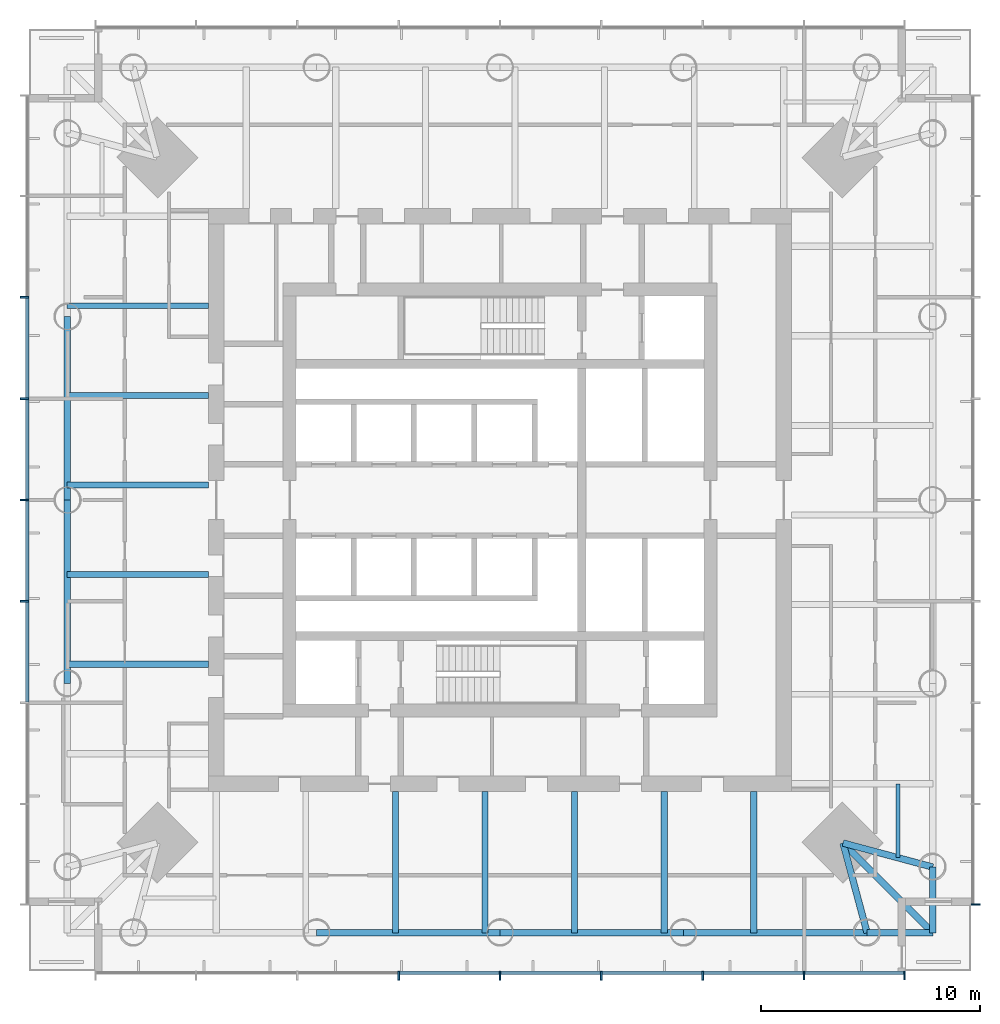
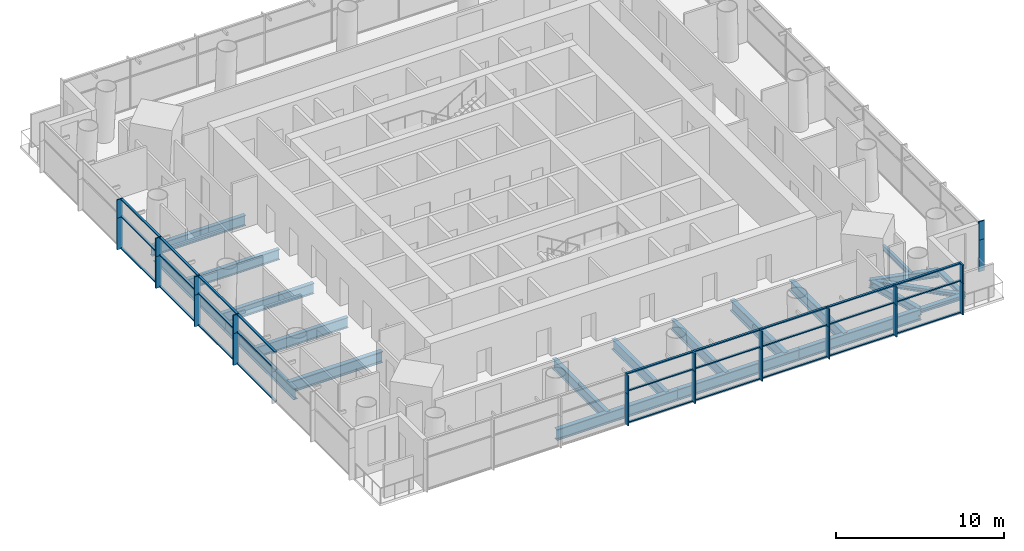
# One storey, part 2 of 11: 49 members, 21 beams, 6 elements without a shape of their own.
"""IFC4 building model written with IfcOpenShell, lengths in metres."""

from ifc_helpers import new_model, si_unit, direction, frame, origin, origin_2d, place, context, subcontext, project, spatial, rectangle, i_section, extrude, material, material_profile, profile_set, type_object, element, aggregate, save


model = new_model("IFC4")

# Units and contexts
model_context = context("Model", 3, precision=1e-05, world=origin(), true_north=direction((0.0, 1.0)))
body_context = subcontext(model_context, "Body", "Model", "MODEL_VIEW")
ifc_project = project(units=[si_unit("LENGTHUNIT", "METRE"), si_unit("AREAUNIT", "SQUARE_METRE"), si_unit("VOLUMEUNIT", "CUBIC_METRE"), si_unit("PLANEANGLEUNIT", "RADIAN"), si_unit("MASSUNIT", "GRAM", prefix="KILO")], contexts=[model_context])

# Site, building, storey
site_placement = place(None, origin())
site = spatial("IfcSite", under=ifc_project, at=site_placement, CompositionType="ELEMENT")
building_placement = place(site_placement, origin())
building = spatial("IfcBuilding", under=site, at=building_placement, Name="Ostroluk Exchange", CompositionType="ELEMENT")
storey_placement = place(building_placement, frame((0.0, 0.0, 154.0)))
storey = spatial("IfcBuildingStorey", under=building, at=storey_placement, Name="L39", CompositionType="ELEMENT", Elevation=154.0)

# Beams
ifc_material_1 = material(Name="Steel S355", Category="steel")
ifc_material_profile_1 = material_profile(ifc_material_1, i_section(OverallWidth=0.300048828125, OverallDepth=0.300048828125, WebThickness=0.010986328125, FlangeThickness=0.01904296875, FilletRadius=0.027099609375, at=origin_2d()), Name="HEB 300")
ifc_profile_set_1 = profile_set([ifc_material_profile_1], Name="Steel S355")
beam_type_1 = type_object("IfcBeamType", Name="Balcony beam HEB 300", PredefinedType="BEAM", material=ifc_profile_set_1)
for number, where, z_axis, x_axis, name in (
    (1, (61.75, 26.25, -0.330078125), (1.0, 0.0, 0.0), (0.0, 1.0, 0.0), "T1 south balcony beam a"),
    (2, (64.75, 29.25, -0.330078125), (0.0, -1.0, 0.0), (1.0, 0.0, 0.0), "T1 south balcony beam b"),
):
    element("IfcBeam", number, at=place(storey_placement, frame(where, z_axis=z_axis, x_axis=x_axis)), inside=storey, type_object=beam_type_1, Name=name, PredefinedType="BEAM", context=body_context, shape_type="SweptSolid", body=[
        extrude(i_section(OverallWidth=0.300048828125, OverallDepth=0.300048828125, WebThickness=0.010986328125, FlangeThickness=0.01904296875, FilletRadius=0.027099609375, at=origin_2d()), origin(), (0.0, 0.0, 1.0), 3.0),
    ])
beam_1_placement = place(storey_placement, frame((60.64990234375, 30.35009765625, -0.330078125), z_axis=(0.707106781187, -0.707106781187, 0.0), x_axis=(0.707106781187, 0.707106781187, 0.0)))
element("IfcBeam", 3, at=beam_1_placement, inside=storey, type_object=beam_type_1, Name="T1 south balcony beam c", PredefinedType="BEAM", context=body_context, shape_type="SweptSolid", body=[
    extrude(i_section(OverallWidth=0.300048828125, OverallDepth=0.300048828125, WebThickness=0.010986328125, FlangeThickness=0.01904296875, FilletRadius=0.027099609375, at=origin_2d()), origin(), (0.0, 0.0, 1.0), 5.79833984375),
])
ifc_material_2 = material(Name="Steel S355", Category="steel")
ifc_material_profile_2 = material_profile(ifc_material_2, i_section(OverallWidth=0.300048828125, OverallDepth=0.550048828125, WebThickness=0.014892578125, FlangeThickness=0.029052734375, FilletRadius=0.027099609375, at=origin_2d()), Name="HEB 550")
ifc_profile_set_2 = profile_set([ifc_material_profile_2], Name="Steel S355")
beam_type_2 = type_object("IfcBeamType", Name="Corner edge beam HEB 550", PredefinedType="SPANDREL", material=ifc_profile_set_2)
for number, where, z_axis, x_axis, name in (
    (4, (60.64990234375, 30.35009765625, -0.455078125), (0.259144268261, -0.965838624319, 0.0), (0.965838624319, 0.259144268261, 0.0), "T1 south corner edge beam a"),
    (5, (60.64990234375, 30.35009765625, -0.455078125), (0.965838624319, -0.259144268261, 0.0), (0.259144268261, 0.965838624319, 0.0), "T1 south corner edge beam b"),
):
    element("IfcBeam", number, at=place(storey_placement, frame(where, z_axis=z_axis, x_axis=x_axis)), inside=storey, type_object=beam_type_2, Name=name, PredefinedType="SPANDREL", context=body_context, shape_type="SweptSolid", body=[
        extrude(i_section(OverallWidth=0.300048828125, OverallDepth=0.550048828125, WebThickness=0.014892578125, FlangeThickness=0.029052734375, FilletRadius=0.027099609375, at=origin_2d()), origin(), (0.0, 0.0, 1.0), 4.2451171875),
    ])
ifc_material_3 = material(Name="Steel S355", Category="steel")
ifc_material_profile_3 = material_profile(ifc_material_3, i_section(OverallWidth=0.302978515625, OverallDepth=0.81396484375, WebThickness=0.02099609375, FlangeThickness=0.0400390625, FilletRadius=0.030029296875, at=origin_2d()), Name="HEM 800")
ifc_profile_set_3 = profile_set([ifc_material_profile_3], Name="Steel S355")
beam_type_3 = type_object("IfcBeamType", Name="Floor beam HEM 800", PredefinedType="BEAM", material=ifc_profile_set_3)
for number, where, z_axis, x_axis, name in (
    (6, (31.699951171875, 38.512451171875, -0.5869140625), (-1.0, 0.0, 0.0), (0.0, -1.0, 0.0), "T1 west floor beam 5"),
    (7, (52.487548828125, 32.699951171875, -0.5869140625), (0.0, -1.0, 0.0), (1.0, 0.0, 0.0), "T1 south floor beam 5"),
    (8, (56.574951171875, 32.699951171875, -0.5869140625), (0.0, -1.0, 0.0), (1.0, 0.0, 0.0), "T1 south floor beam 6"),
):
    element("IfcBeam", number, at=place(storey_placement, frame(where, z_axis=z_axis, x_axis=x_axis)), inside=storey, type_object=beam_type_3, Name=name, PredefinedType="BEAM", context=body_context, shape_type="SweptSolid", body=[
        extrude(i_section(OverallWidth=0.302978515625, OverallDepth=0.81396484375, WebThickness=0.02099609375, FlangeThickness=0.0400390625, FilletRadius=0.030029296875, at=origin_2d()), origin(), (0.0, 0.0, 1.0), 6.449951171875),
    ])
ifc_material_4 = material(Name="Steel S355", Category="steel")
ifc_material_profile_4 = material_profile(ifc_material_4, i_section(OverallWidth=0.179931640625, OverallDepth=0.39990234375, WebThickness=0.008544921875, FlangeThickness=0.013427734375, FilletRadius=0.02099609375, at=origin_2d()), Name="IPE 400")
ifc_profile_set_4 = profile_set([ifc_material_profile_4], Name="Steel S355")
beam_type_4 = type_object("IfcBeamType", Name="Floor beam IPE 400", PredefinedType="BEAM", material=ifc_profile_set_4)
beam_2_placement = place(storey_placement, frame((63.14990234375, 33.050048828125, -0.3798828125), z_axis=(0.0, -1.0, 0.0), x_axis=(1.0, 0.0, 0.0)))
element("IfcBeam", 9, at=beam_2_placement, inside=storey, type_object=beam_type_4, Name="T1 south floor beam 7", PredefinedType="BEAM", context=body_context, shape_type="SweptSolid", body=[
    extrude(i_section(OverallWidth=0.179931640625, OverallDepth=0.39990234375, WebThickness=0.008544921875, FlangeThickness=0.013427734375, FilletRadius=0.02099609375, at=origin_2d()), origin(), (0.0, 0.0, 1.0), 3.370849609375),
])
ifc_material_5 = material(Name="Steel S355", Category="steel")
ifc_material_profile_5 = material_profile(ifc_material_5, i_section(OverallWidth=0.26708984375, OverallDepth=0.761962890625, WebThickness=0.014404296875, FlangeThickness=0.021484375, FilletRadius=0.01708984375, at=origin_2d()), Name="IPE 750x173")
ifc_profile_set_5 = profile_set([ifc_material_profile_5], Name="Steel S355")
beam_type_5 = type_object("IfcBeamType", Name="Floor beam IPE 750x173", PredefinedType="BEAM", material=ifc_profile_set_5)
for number, where, z_axis, x_axis, name in (
    (10, (31.699951171875, 54.862548828125, -0.56103515625), (-1.0, 0.0, 0.0), (0.0, -1.0, 0.0), "T1 west floor beam 1"),
    (11, (31.699951171875, 50.77490234375, -0.56103515625), (-1.0, 0.0, 0.0), (0.0, -1.0, 0.0), "T1 west floor beam 2"),
    (12, (31.699951171875, 46.6875, -0.56103515625), (-1.0, 0.0, 0.0), (0.0, -1.0, 0.0), "T1 west floor beam 3"),
    (13, (31.699951171875, 42.60009765625, -0.56103515625), (-1.0, 0.0, 0.0), (0.0, -1.0, 0.0), "T1 west floor beam 4"),
    (14, (40.22509765625, 32.699951171875, -0.56103515625), (0.0, -1.0, 0.0), (1.0, 0.0, 0.0), "T1 south floor beam 2"),
    (15, (44.3125, 32.699951171875, -0.56103515625), (0.0, -1.0, 0.0), (1.0, 0.0, 0.0), "T1 south floor beam 3"),
    (16, (48.39990234375, 32.699951171875, -0.56103515625), (0.0, -1.0, 0.0), (1.0, 0.0, 0.0), "T1 south floor beam 4"),
):
    element("IfcBeam", number, at=place(storey_placement, frame(where, z_axis=z_axis, x_axis=x_axis)), inside=storey, type_object=beam_type_5, Name=name, PredefinedType="BEAM", context=body_context, shape_type="SweptSolid", body=[
        extrude(i_section(OverallWidth=0.26708984375, OverallDepth=0.761962890625, WebThickness=0.014404296875, FlangeThickness=0.021484375, FilletRadius=0.01708984375, at=origin_2d()), origin(), (0.0, 0.0, 1.0), 6.449951171875),
    ])
ifc_material_6 = material(Name="Steel S355", Category="steel")
ifc_material_profile_6 = material_profile(ifc_material_6, i_section(OverallWidth=0.300048828125, OverallDepth=0.800048828125, WebThickness=0.017578125, FlangeThickness=0.032958984375, FilletRadius=0.030029296875, at=origin_2d()), Name="HEB 800")
ifc_profile_set_6 = profile_set([ifc_material_profile_6], Name="Steel S355")
beam_type_6 = type_object("IfcBeamType", Name="Moment-connected edge beam HEB 800", PredefinedType="SPANDREL", material=ifc_profile_set_6)
for number, where, z_axis, x_axis, name in (
    (17, (25.25, 54.375, -0.580078125), (0.0, -1.0, 0.0), (1.0, 0.0, 0.0), "T1 west edge beam 2"),
    (18, (25.25, 46.0, -0.580078125), (0.0, -1.0, 0.0), (1.0, 0.0, 0.0), "T1 west edge beam 3"),
    (19, (36.625, 26.25, -0.580078125), (1.0, 0.0, 0.0), (0.0, 1.0, 0.0), "T1 south edge beam 2"),
    (20, (45.0, 26.25, -0.580078125), (1.0, 0.0, 0.0), (0.0, 1.0, 0.0), "T1 south edge beam 3"),
    (21, (53.375, 26.25, -0.580078125), (1.0, 0.0, 0.0), (0.0, 1.0, 0.0), "T1 south edge beam 4"),
):
    element("IfcBeam", number, at=place(storey_placement, frame(where, z_axis=z_axis, x_axis=x_axis)), inside=storey, type_object=beam_type_6, Name=name, PredefinedType="SPANDREL", context=body_context, shape_type="SweptSolid", body=[
        extrude(i_section(OverallWidth=0.300048828125, OverallDepth=0.800048828125, WebThickness=0.017578125, FlangeThickness=0.032958984375, FilletRadius=0.030029296875, at=origin_2d()), origin(), (0.0, 0.0, 1.0), 8.375),
    ])

# Curtain wall, members
ifc_material_7 = material(Name="Laminated clear glass", Category="glass")
curtain_wall_type = type_object("IfcCurtainWallType", Name="Office tower facade", PredefinedType="USERDEFINED", material=ifc_material_7)
curtain_wall_1_placement = place(storey_placement, origin())
curtain_wall_1 = element("IfcCurtainWall", 22, at=curtain_wall_1_placement, inside=storey, type_object=curtain_wall_type, Name="Office tower south facade L39", ObjectType="UNITISED CURTAIN WALL", PredefinedType="USERDEFINED")
ifc_material_8 = material(Name="Aluminium mullion", Category="aluminium")
ifc_material_profile_7 = material_profile(ifc_material_8, rectangle(XDim=0.14990234375, YDim=0.080078125, at=origin_2d()), Name="Sill transom 80 x 150")
ifc_profile_set_7 = profile_set([ifc_material_profile_7], Name="Aluminium mullion")
member_type_1 = type_object("IfcMemberType", Name="Sill transom 80 x 150", PredefinedType="USERDEFINED", material=ifc_profile_set_7)
member_1_placement = place(storey_placement, frame((40.4150390625, 24.425048828125, 0.0400390625), z_axis=(1.0, 0.0, 0.0), x_axis=(0.0, 1.0, 0.0)))
member_1 = element("IfcMember", 23, at=member_1_placement, type_object=member_type_1, Name="CW-O1 transom 4.1", ObjectType="TRANSOM", PredefinedType="USERDEFINED", context=body_context, shape_type="SweptSolid", body=[
    extrude(rectangle(XDim=0.14990234375, YDim=0.080078125, at=origin_2d()), origin(), (0.0, 0.0, 1.0), 4.544921875),
])
member_2_placement = place(storey_placement, frame((45.0400390625, 24.425048828125, 0.0400390625), z_axis=(1.0, 0.0, 0.0), x_axis=(0.0, 1.0, 0.0)))
member_2 = element("IfcMember", 24, at=member_2_placement, type_object=member_type_1, Name="CW-O1 transom 5.1", ObjectType="TRANSOM", PredefinedType="USERDEFINED", context=body_context, shape_type="SweptSolid", body=[
    extrude(rectangle(XDim=0.14990234375, YDim=0.080078125, at=origin_2d()), origin(), (0.0, 0.0, 1.0), 4.544921875),
])
member_3_placement = place(storey_placement, frame((49.6650390625, 24.425048828125, 0.0400390625), z_axis=(1.0, 0.0, 0.0), x_axis=(0.0, 1.0, 0.0)))
member_3 = element("IfcMember", 25, at=member_3_placement, type_object=member_type_1, Name="CW-O1 transom 6.1", ObjectType="TRANSOM", PredefinedType="USERDEFINED", context=body_context, shape_type="SweptSolid", body=[
    extrude(rectangle(XDim=0.14990234375, YDim=0.080078125, at=origin_2d()), origin(), (0.0, 0.0, 1.0), 4.544921875),
])
member_4_placement = place(storey_placement, frame((54.2900390625, 24.425048828125, 0.0400390625), z_axis=(1.0, 0.0, 0.0), x_axis=(0.0, 1.0, 0.0)))
member_4 = element("IfcMember", 26, at=member_4_placement, type_object=member_type_1, Name="CW-O1 transom 7.1", ObjectType="TRANSOM", PredefinedType="USERDEFINED", context=body_context, shape_type="SweptSolid", body=[
    extrude(rectangle(XDim=0.14990234375, YDim=0.080078125, at=origin_2d()), origin(), (0.0, 0.0, 1.0), 4.544921875),
])
member_5_placement = place(storey_placement, frame((58.9150390625, 24.425048828125, 0.0400390625), z_axis=(1.0, 0.0, 0.0), x_axis=(0.0, 1.0, 0.0)))
member_5 = element("IfcMember", 27, at=member_5_placement, type_object=member_type_1, Name="CW-O1 transom 8.1", ObjectType="TRANSOM", PredefinedType="USERDEFINED", context=body_context, shape_type="SweptSolid", body=[
    extrude(rectangle(XDim=0.14990234375, YDim=0.080078125, at=origin_2d()), origin(), (0.0, 0.0, 1.0), 4.5048828125),
])

curtain_wall_2_placement = place(storey_placement, origin())
curtain_wall_2 = element("IfcCurtainWall", 28, at=curtain_wall_2_placement, inside=storey, type_object=curtain_wall_type, Name="Office tower south spandrel L39", ObjectType="UNITISED CURTAIN WALL", PredefinedType="USERDEFINED")
member_6_placement = place(storey_placement, frame((40.4150390625, 24.425048828125, 2.353515625), z_axis=(1.0, 0.0, 0.0), x_axis=(0.0, 1.0, 0.0)))
member_6 = element("IfcMember", 29, at=member_6_placement, type_object=member_type_1, Name="CW-O1 transom 4.1", ObjectType="TRANSOM", PredefinedType="USERDEFINED", context=body_context, shape_type="SweptSolid", body=[
    extrude(rectangle(XDim=0.14990234375, YDim=0.080078125, at=origin_2d()), origin(), (0.0, 0.0, 1.0), 4.544921875),
])
member_7_placement = place(storey_placement, frame((40.4150390625, 24.425048828125, 3.610107421875), z_axis=(1.0, 0.0, 0.0), x_axis=(0.0, 1.0, 0.0)))
member_7 = element("IfcMember", 30, at=member_7_placement, type_object=member_type_1, Name="CW-O1 transom 4.2", ObjectType="TRANSOM", PredefinedType="USERDEFINED", context=body_context, shape_type="SweptSolid", body=[
    extrude(rectangle(XDim=0.14990234375, YDim=0.080078125, at=origin_2d()), origin(), (0.0, 0.0, 1.0), 4.544921875),
])
member_8_placement = place(storey_placement, frame((45.0400390625, 24.425048828125, 2.353515625), z_axis=(1.0, 0.0, 0.0), x_axis=(0.0, 1.0, 0.0)))
member_8 = element("IfcMember", 31, at=member_8_placement, type_object=member_type_1, Name="CW-O1 transom 5.1", ObjectType="TRANSOM", PredefinedType="USERDEFINED", context=body_context, shape_type="SweptSolid", body=[
    extrude(rectangle(XDim=0.14990234375, YDim=0.080078125, at=origin_2d()), origin(), (0.0, 0.0, 1.0), 4.544921875),
])
member_9_placement = place(storey_placement, frame((45.0400390625, 24.425048828125, 3.610107421875), z_axis=(1.0, 0.0, 0.0), x_axis=(0.0, 1.0, 0.0)))
member_9 = element("IfcMember", 32, at=member_9_placement, type_object=member_type_1, Name="CW-O1 transom 5.2", ObjectType="TRANSOM", PredefinedType="USERDEFINED", context=body_context, shape_type="SweptSolid", body=[
    extrude(rectangle(XDim=0.14990234375, YDim=0.080078125, at=origin_2d()), origin(), (0.0, 0.0, 1.0), 4.544921875),
])
member_10_placement = place(storey_placement, frame((49.6650390625, 24.425048828125, 2.353515625), z_axis=(1.0, 0.0, 0.0), x_axis=(0.0, 1.0, 0.0)))
member_10 = element("IfcMember", 33, at=member_10_placement, type_object=member_type_1, Name="CW-O1 transom 6.1", ObjectType="TRANSOM", PredefinedType="USERDEFINED", context=body_context, shape_type="SweptSolid", body=[
    extrude(rectangle(XDim=0.14990234375, YDim=0.080078125, at=origin_2d()), origin(), (0.0, 0.0, 1.0), 4.544921875),
])
member_11_placement = place(storey_placement, frame((49.6650390625, 24.425048828125, 3.610107421875), z_axis=(1.0, 0.0, 0.0), x_axis=(0.0, 1.0, 0.0)))
member_11 = element("IfcMember", 34, at=member_11_placement, type_object=member_type_1, Name="CW-O1 transom 6.2", ObjectType="TRANSOM", PredefinedType="USERDEFINED", context=body_context, shape_type="SweptSolid", body=[
    extrude(rectangle(XDim=0.14990234375, YDim=0.080078125, at=origin_2d()), origin(), (0.0, 0.0, 1.0), 4.544921875),
])
member_12_placement = place(storey_placement, frame((54.2900390625, 24.425048828125, 2.353515625), z_axis=(1.0, 0.0, 0.0), x_axis=(0.0, 1.0, 0.0)))
member_12 = element("IfcMember", 35, at=member_12_placement, type_object=member_type_1, Name="CW-O1 transom 7.1", ObjectType="TRANSOM", PredefinedType="USERDEFINED", context=body_context, shape_type="SweptSolid", body=[
    extrude(rectangle(XDim=0.14990234375, YDim=0.080078125, at=origin_2d()), origin(), (0.0, 0.0, 1.0), 4.544921875),
])
member_13_placement = place(storey_placement, frame((54.2900390625, 24.425048828125, 3.610107421875), z_axis=(1.0, 0.0, 0.0), x_axis=(0.0, 1.0, 0.0)))
member_13 = element("IfcMember", 36, at=member_13_placement, type_object=member_type_1, Name="CW-O1 transom 7.2", ObjectType="TRANSOM", PredefinedType="USERDEFINED", context=body_context, shape_type="SweptSolid", body=[
    extrude(rectangle(XDim=0.14990234375, YDim=0.080078125, at=origin_2d()), origin(), (0.0, 0.0, 1.0), 4.544921875),
])
member_14_placement = place(storey_placement, frame((58.9150390625, 24.425048828125, 2.353515625), z_axis=(1.0, 0.0, 0.0), x_axis=(0.0, 1.0, 0.0)))
member_14 = element("IfcMember", 37, at=member_14_placement, type_object=member_type_1, Name="CW-O1 transom 8.1", ObjectType="TRANSOM", PredefinedType="USERDEFINED", context=body_context, shape_type="SweptSolid", body=[
    extrude(rectangle(XDim=0.14990234375, YDim=0.080078125, at=origin_2d()), origin(), (0.0, 0.0, 1.0), 4.5048828125),
])
member_15_placement = place(storey_placement, frame((58.9150390625, 24.425048828125, 3.610107421875), z_axis=(1.0, 0.0, 0.0), x_axis=(0.0, 1.0, 0.0)))
member_15 = element("IfcMember", 38, at=member_15_placement, type_object=member_type_1, Name="CW-O1 transom 8.2", ObjectType="TRANSOM", PredefinedType="USERDEFINED", context=body_context, shape_type="SweptSolid", body=[
    extrude(rectangle(XDim=0.14990234375, YDim=0.080078125, at=origin_2d()), origin(), (0.0, 0.0, 1.0), 4.5048828125),
])

curtain_wall_3_placement = place(storey_placement, origin())
curtain_wall_3 = element("IfcCurtainWall", 39, at=curtain_wall_3_placement, inside=storey, type_object=curtain_wall_type, Name="Office tower west facade L39", ObjectType="UNITISED CURTAIN WALL", PredefinedType="USERDEFINED")
member_16_placement = place(storey_placement, frame((23.425048828125, 55.2099609375, 0.0400390625), z_axis=(0.0, -1.0, 0.0), x_axis=(1.0, 0.0, 0.0)))
member_16 = element("IfcMember", 40, at=member_16_placement, type_object=member_type_1, Name="CW-O1 transom 3.1", ObjectType="TRANSOM", PredefinedType="USERDEFINED", context=body_context, shape_type="SweptSolid", body=[
    extrude(rectangle(XDim=0.14990234375, YDim=0.080078125, at=origin_2d()), origin(), (0.0, 0.0, 1.0), 4.544921875),
])
member_17_placement = place(storey_placement, frame((23.425048828125, 50.5849609375, 0.0400390625), z_axis=(0.0, -1.0, 0.0), x_axis=(1.0, 0.0, 0.0)))
member_17 = element("IfcMember", 41, at=member_17_placement, type_object=member_type_1, Name="CW-O1 transom 4.1", ObjectType="TRANSOM", PredefinedType="USERDEFINED", context=body_context, shape_type="SweptSolid", body=[
    extrude(rectangle(XDim=0.14990234375, YDim=0.080078125, at=origin_2d()), origin(), (0.0, 0.0, 1.0), 4.544921875),
])
member_18_placement = place(storey_placement, frame((23.425048828125, 45.9599609375, 0.0400390625), z_axis=(0.0, -1.0, 0.0), x_axis=(1.0, 0.0, 0.0)))
member_18 = element("IfcMember", 42, at=member_18_placement, type_object=member_type_1, Name="CW-O1 transom 5.1", ObjectType="TRANSOM", PredefinedType="USERDEFINED", context=body_context, shape_type="SweptSolid", body=[
    extrude(rectangle(XDim=0.14990234375, YDim=0.080078125, at=origin_2d()), origin(), (0.0, 0.0, 1.0), 4.544921875),
])
member_19_placement = place(storey_placement, frame((23.425048828125, 41.3349609375, 0.0400390625), z_axis=(0.0, -1.0, 0.0), x_axis=(1.0, 0.0, 0.0)))
member_19 = element("IfcMember", 43, at=member_19_placement, type_object=member_type_1, Name="CW-O1 transom 6.1", ObjectType="TRANSOM", PredefinedType="USERDEFINED", context=body_context, shape_type="SweptSolid", body=[
    extrude(rectangle(XDim=0.14990234375, YDim=0.080078125, at=origin_2d()), origin(), (0.0, 0.0, 1.0), 4.544921875),
])

curtain_wall_4_placement = place(storey_placement, origin())
curtain_wall_4 = element("IfcCurtainWall", 44, at=curtain_wall_4_placement, inside=storey, type_object=curtain_wall_type, Name="Office tower west spandrel L39", ObjectType="UNITISED CURTAIN WALL", PredefinedType="USERDEFINED")
member_20_placement = place(storey_placement, frame((23.425048828125, 55.2099609375, 2.353515625), z_axis=(0.0, -1.0, 0.0), x_axis=(1.0, 0.0, 0.0)))
member_20 = element("IfcMember", 45, at=member_20_placement, type_object=member_type_1, Name="CW-O1 transom 3.1", ObjectType="TRANSOM", PredefinedType="USERDEFINED", context=body_context, shape_type="SweptSolid", body=[
    extrude(rectangle(XDim=0.14990234375, YDim=0.080078125, at=origin_2d()), origin(), (0.0, 0.0, 1.0), 4.544921875),
])
member_21_placement = place(storey_placement, frame((23.425048828125, 55.2099609375, 3.610107421875), z_axis=(0.0, -1.0, 0.0), x_axis=(1.0, 0.0, 0.0)))
member_21 = element("IfcMember", 46, at=member_21_placement, type_object=member_type_1, Name="CW-O1 transom 3.2", ObjectType="TRANSOM", PredefinedType="USERDEFINED", context=body_context, shape_type="SweptSolid", body=[
    extrude(rectangle(XDim=0.14990234375, YDim=0.080078125, at=origin_2d()), origin(), (0.0, 0.0, 1.0), 4.544921875),
])
member_22_placement = place(storey_placement, frame((23.425048828125, 50.5849609375, 2.353515625), z_axis=(0.0, -1.0, 0.0), x_axis=(1.0, 0.0, 0.0)))
member_22 = element("IfcMember", 47, at=member_22_placement, type_object=member_type_1, Name="CW-O1 transom 4.1", ObjectType="TRANSOM", PredefinedType="USERDEFINED", context=body_context, shape_type="SweptSolid", body=[
    extrude(rectangle(XDim=0.14990234375, YDim=0.080078125, at=origin_2d()), origin(), (0.0, 0.0, 1.0), 4.544921875),
])
member_23_placement = place(storey_placement, frame((23.425048828125, 50.5849609375, 3.610107421875), z_axis=(0.0, -1.0, 0.0), x_axis=(1.0, 0.0, 0.0)))
member_23 = element("IfcMember", 48, at=member_23_placement, type_object=member_type_1, Name="CW-O1 transom 4.2", ObjectType="TRANSOM", PredefinedType="USERDEFINED", context=body_context, shape_type="SweptSolid", body=[
    extrude(rectangle(XDim=0.14990234375, YDim=0.080078125, at=origin_2d()), origin(), (0.0, 0.0, 1.0), 4.544921875),
])
member_24_placement = place(storey_placement, frame((23.425048828125, 45.9599609375, 2.353515625), z_axis=(0.0, -1.0, 0.0), x_axis=(1.0, 0.0, 0.0)))
member_24 = element("IfcMember", 49, at=member_24_placement, type_object=member_type_1, Name="CW-O1 transom 5.1", ObjectType="TRANSOM", PredefinedType="USERDEFINED", context=body_context, shape_type="SweptSolid", body=[
    extrude(rectangle(XDim=0.14990234375, YDim=0.080078125, at=origin_2d()), origin(), (0.0, 0.0, 1.0), 4.544921875),
])
member_25_placement = place(storey_placement, frame((23.425048828125, 45.9599609375, 3.610107421875), z_axis=(0.0, -1.0, 0.0), x_axis=(1.0, 0.0, 0.0)))
member_25 = element("IfcMember", 50, at=member_25_placement, type_object=member_type_1, Name="CW-O1 transom 5.2", ObjectType="TRANSOM", PredefinedType="USERDEFINED", context=body_context, shape_type="SweptSolid", body=[
    extrude(rectangle(XDim=0.14990234375, YDim=0.080078125, at=origin_2d()), origin(), (0.0, 0.0, 1.0), 4.544921875),
])
member_26_placement = place(storey_placement, frame((23.425048828125, 41.3349609375, 2.353515625), z_axis=(0.0, -1.0, 0.0), x_axis=(1.0, 0.0, 0.0)))
member_26 = element("IfcMember", 51, at=member_26_placement, type_object=member_type_1, Name="CW-O1 transom 6.1", ObjectType="TRANSOM", PredefinedType="USERDEFINED", context=body_context, shape_type="SweptSolid", body=[
    extrude(rectangle(XDim=0.14990234375, YDim=0.080078125, at=origin_2d()), origin(), (0.0, 0.0, 1.0), 4.544921875),
])
member_27_placement = place(storey_placement, frame((23.425048828125, 41.3349609375, 3.610107421875), z_axis=(0.0, -1.0, 0.0), x_axis=(1.0, 0.0, 0.0)))
member_27 = element("IfcMember", 52, at=member_27_placement, type_object=member_type_1, Name="CW-O1 transom 6.2", ObjectType="TRANSOM", PredefinedType="USERDEFINED", context=body_context, shape_type="SweptSolid", body=[
    extrude(rectangle(XDim=0.14990234375, YDim=0.080078125, at=origin_2d()), origin(), (0.0, 0.0, 1.0), 4.544921875),
])

# Member
ifc_material_9 = material(Name="Aluminium mullion with limestone facing", Category="masonry")
ifc_material_profile_8 = material_profile(ifc_material_9, rectangle(XDim=0.39990234375, YDim=0.080078125, at=origin_2d()), Name="Tracery mullion 80 x 400")
ifc_profile_set_8 = profile_set([ifc_material_profile_8], Name="Aluminium mullion with limestone facing")
member_type_2 = type_object("IfcMemberType", Name="Tracery mullion 80 x 400", PredefinedType="MULLION", material=ifc_profile_set_8)
member_28_placement = place(storey_placement, frame((40.375, 24.300048828125, 0.0), z_axis=(0.0, 0.0, 1.0), x_axis=(0.0, 1.0, 0.0)))
member_28 = element("IfcMember", 53, at=member_28_placement, type_object=member_type_2, Name="CW-O1 mullion 4", PredefinedType="MULLION", context=body_context, shape_type="SweptSolid", body=[
    extrude(rectangle(XDim=0.39990234375, YDim=0.080078125, at=origin_2d()), origin(), (0.0, 0.0, 1.0), 2.3134765625),
])

member_29_placement = place(storey_placement, frame((45.0, 24.300048828125, 0.0), z_axis=(0.0, 0.0, 1.0), x_axis=(0.0, 1.0, 0.0)))
member_29 = element("IfcMember", 54, at=member_29_placement, type_object=member_type_2, Name="CW-O1 mullion 5", PredefinedType="MULLION", context=body_context, shape_type="SweptSolid", body=[
    extrude(rectangle(XDim=0.39990234375, YDim=0.080078125, at=origin_2d()), origin(), (0.0, 0.0, 1.0), 2.3134765625),
])

member_30_placement = place(storey_placement, frame((49.625, 24.300048828125, 0.0), z_axis=(0.0, 0.0, 1.0), x_axis=(0.0, 1.0, 0.0)))
member_30 = element("IfcMember", 55, at=member_30_placement, type_object=member_type_2, Name="CW-O1 mullion 6", PredefinedType="MULLION", context=body_context, shape_type="SweptSolid", body=[
    extrude(rectangle(XDim=0.39990234375, YDim=0.080078125, at=origin_2d()), origin(), (0.0, 0.0, 1.0), 2.3134765625),
])

member_31_placement = place(storey_placement, frame((54.25, 24.300048828125, 0.0), z_axis=(0.0, 0.0, 1.0), x_axis=(0.0, 1.0, 0.0)))
member_31 = element("IfcMember", 56, at=member_31_placement, type_object=member_type_2, Name="CW-O1 mullion 7", PredefinedType="MULLION", context=body_context, shape_type="SweptSolid", body=[
    extrude(rectangle(XDim=0.39990234375, YDim=0.080078125, at=origin_2d()), origin(), (0.0, 0.0, 1.0), 2.3134765625),
])

member_32_placement = place(storey_placement, frame((58.875, 24.300048828125, 0.0), z_axis=(0.0, 0.0, 1.0), x_axis=(0.0, 1.0, 0.0)))
member_32 = element("IfcMember", 57, at=member_32_placement, type_object=member_type_2, Name="CW-O1 mullion 8", PredefinedType="MULLION", context=body_context, shape_type="SweptSolid", body=[
    extrude(rectangle(XDim=0.39990234375, YDim=0.080078125, at=origin_2d()), origin(), (0.0, 0.0, 1.0), 2.3134765625),
])

member_33_placement = place(storey_placement, frame((63.4599609375, 24.300048828125, 0.0), z_axis=(0.0, 0.0, 1.0), x_axis=(0.0, 1.0, 0.0)))
member_33 = element("IfcMember", 58, at=member_33_placement, type_object=member_type_2, Name="CW-O1 mullion 9", PredefinedType="MULLION", context=body_context, shape_type="SweptSolid", body=[
    extrude(rectangle(XDim=0.39990234375, YDim=0.080078125, at=origin_2d()), origin(), (0.0, 0.0, 1.0), 2.3134765625),
])

aggregate(curtain_wall_1, [member_28, member_29, member_30, member_31, member_32, member_33, member_1, member_2, member_3, member_4, member_5])

member_34_placement = place(storey_placement, frame((40.375, 24.300048828125, 2.3134765625), z_axis=(0.0, 0.0, 1.0), x_axis=(0.0, 1.0, 0.0)))
member_34 = element("IfcMember", 59, at=member_34_placement, type_object=member_type_2, Name="CW-O1 mullion 4", PredefinedType="MULLION", context=body_context, shape_type="SweptSolid", body=[
    extrude(rectangle(XDim=0.39990234375, YDim=0.080078125, at=origin_2d()), origin(), (0.0, 0.0, 1.0), 1.33642578125),
])

member_35_placement = place(storey_placement, frame((45.0, 24.300048828125, 2.3134765625), z_axis=(0.0, 0.0, 1.0), x_axis=(0.0, 1.0, 0.0)))
member_35 = element("IfcMember", 60, at=member_35_placement, type_object=member_type_2, Name="CW-O1 mullion 5", PredefinedType="MULLION", context=body_context, shape_type="SweptSolid", body=[
    extrude(rectangle(XDim=0.39990234375, YDim=0.080078125, at=origin_2d()), origin(), (0.0, 0.0, 1.0), 1.33642578125),
])

member_36_placement = place(storey_placement, frame((49.625, 24.300048828125, 2.3134765625), z_axis=(0.0, 0.0, 1.0), x_axis=(0.0, 1.0, 0.0)))
member_36 = element("IfcMember", 61, at=member_36_placement, type_object=member_type_2, Name="CW-O1 mullion 6", PredefinedType="MULLION", context=body_context, shape_type="SweptSolid", body=[
    extrude(rectangle(XDim=0.39990234375, YDim=0.080078125, at=origin_2d()), origin(), (0.0, 0.0, 1.0), 1.33642578125),
])

member_37_placement = place(storey_placement, frame((54.25, 24.300048828125, 2.3134765625), z_axis=(0.0, 0.0, 1.0), x_axis=(0.0, 1.0, 0.0)))
member_37 = element("IfcMember", 62, at=member_37_placement, type_object=member_type_2, Name="CW-O1 mullion 7", PredefinedType="MULLION", context=body_context, shape_type="SweptSolid", body=[
    extrude(rectangle(XDim=0.39990234375, YDim=0.080078125, at=origin_2d()), origin(), (0.0, 0.0, 1.0), 1.33642578125),
])

member_38_placement = place(storey_placement, frame((58.875, 24.300048828125, 2.3134765625), z_axis=(0.0, 0.0, 1.0), x_axis=(0.0, 1.0, 0.0)))
member_38 = element("IfcMember", 63, at=member_38_placement, type_object=member_type_2, Name="CW-O1 mullion 8", PredefinedType="MULLION", context=body_context, shape_type="SweptSolid", body=[
    extrude(rectangle(XDim=0.39990234375, YDim=0.080078125, at=origin_2d()), origin(), (0.0, 0.0, 1.0), 1.33642578125),
])

member_39_placement = place(storey_placement, frame((63.4599609375, 24.300048828125, 2.3134765625), z_axis=(0.0, 0.0, 1.0), x_axis=(0.0, 1.0, 0.0)))
member_39 = element("IfcMember", 64, at=member_39_placement, type_object=member_type_2, Name="CW-O1 mullion 9", PredefinedType="MULLION", context=body_context, shape_type="SweptSolid", body=[
    extrude(rectangle(XDim=0.39990234375, YDim=0.080078125, at=origin_2d()), origin(), (0.0, 0.0, 1.0), 1.33642578125),
])

aggregate(curtain_wall_2, [member_34, member_35, member_36, member_37, member_38, member_39, member_6, member_7, member_8, member_9, member_10, member_11, member_12, member_13, member_14, member_15])

# Curtain wall, member
curtain_wall_5_placement = place(storey_placement, origin())
curtain_wall_5 = element("IfcCurtainWall", 65, at=curtain_wall_5_placement, inside=storey, type_object=curtain_wall_type, Name="Office tower east facade L39", ObjectType="UNITISED CURTAIN WALL", PredefinedType="USERDEFINED")
member_40_placement = place(storey_placement, frame((66.699951171875, 27.5400390625, 0.0), z_axis=(0.0, 0.0, 1.0), x_axis=(-1.0, 0.0, 0.0)))
member_40 = element("IfcMember", 66, at=member_40_placement, type_object=member_type_2, Name="CW-O1 mullion 1", PredefinedType="MULLION", context=body_context, shape_type="SweptSolid", body=[
    extrude(rectangle(XDim=0.39990234375, YDim=0.080078125, at=origin_2d()), origin(), (0.0, 0.0, 1.0), 2.3134765625),
])
aggregate(curtain_wall_5, [member_40])

curtain_wall_6_placement = place(storey_placement, origin())
curtain_wall_6 = element("IfcCurtainWall", 67, at=curtain_wall_6_placement, inside=storey, type_object=curtain_wall_type, Name="Office tower east spandrel L39", ObjectType="UNITISED CURTAIN WALL", PredefinedType="USERDEFINED")
member_41_placement = place(storey_placement, frame((66.699951171875, 27.5400390625, 2.3134765625), z_axis=(0.0, 0.0, 1.0), x_axis=(-1.0, 0.0, 0.0)))
member_41 = element("IfcMember", 68, at=member_41_placement, type_object=member_type_2, Name="CW-O1 mullion 1", PredefinedType="MULLION", context=body_context, shape_type="SweptSolid", body=[
    extrude(rectangle(XDim=0.39990234375, YDim=0.080078125, at=origin_2d()), origin(), (0.0, 0.0, 1.0), 1.33642578125),
])
aggregate(curtain_wall_6, [member_41])

# Member
member_42_placement = place(storey_placement, frame((23.300048828125, 55.25, 0.0), z_axis=(0.0, 0.0, 1.0), x_axis=(1.0, 0.0, 0.0)))
member_42 = element("IfcMember", 69, at=member_42_placement, type_object=member_type_2, Name="CW-O1 mullion 3", PredefinedType="MULLION", context=body_context, shape_type="SweptSolid", body=[
    extrude(rectangle(XDim=0.39990234375, YDim=0.080078125, at=origin_2d()), origin(), (0.0, 0.0, 1.0), 2.3134765625),
])

member_43_placement = place(storey_placement, frame((23.300048828125, 50.625, 0.0), z_axis=(0.0, 0.0, 1.0), x_axis=(1.0, 0.0, 0.0)))
member_43 = element("IfcMember", 70, at=member_43_placement, type_object=member_type_2, Name="CW-O1 mullion 4", PredefinedType="MULLION", context=body_context, shape_type="SweptSolid", body=[
    extrude(rectangle(XDim=0.39990234375, YDim=0.080078125, at=origin_2d()), origin(), (0.0, 0.0, 1.0), 2.3134765625),
])

member_44_placement = place(storey_placement, frame((23.300048828125, 46.0, 0.0), z_axis=(0.0, 0.0, 1.0), x_axis=(1.0, 0.0, 0.0)))
member_44 = element("IfcMember", 71, at=member_44_placement, type_object=member_type_2, Name="CW-O1 mullion 5", PredefinedType="MULLION", context=body_context, shape_type="SweptSolid", body=[
    extrude(rectangle(XDim=0.39990234375, YDim=0.080078125, at=origin_2d()), origin(), (0.0, 0.0, 1.0), 2.3134765625),
])

member_45_placement = place(storey_placement, frame((23.300048828125, 41.375, 0.0), z_axis=(0.0, 0.0, 1.0), x_axis=(1.0, 0.0, 0.0)))
member_45 = element("IfcMember", 72, at=member_45_placement, type_object=member_type_2, Name="CW-O1 mullion 6", PredefinedType="MULLION", context=body_context, shape_type="SweptSolid", body=[
    extrude(rectangle(XDim=0.39990234375, YDim=0.080078125, at=origin_2d()), origin(), (0.0, 0.0, 1.0), 2.3134765625),
])

aggregate(curtain_wall_3, [member_42, member_43, member_44, member_45, member_16, member_17, member_18, member_19])

member_46_placement = place(storey_placement, frame((23.300048828125, 55.25, 2.3134765625), z_axis=(0.0, 0.0, 1.0), x_axis=(1.0, 0.0, 0.0)))
member_46 = element("IfcMember", 73, at=member_46_placement, type_object=member_type_2, Name="CW-O1 mullion 3", PredefinedType="MULLION", context=body_context, shape_type="SweptSolid", body=[
    extrude(rectangle(XDim=0.39990234375, YDim=0.080078125, at=origin_2d()), origin(), (0.0, 0.0, 1.0), 1.33642578125),
])

member_47_placement = place(storey_placement, frame((23.300048828125, 50.625, 2.3134765625), z_axis=(0.0, 0.0, 1.0), x_axis=(1.0, 0.0, 0.0)))
member_47 = element("IfcMember", 74, at=member_47_placement, type_object=member_type_2, Name="CW-O1 mullion 4", PredefinedType="MULLION", context=body_context, shape_type="SweptSolid", body=[
    extrude(rectangle(XDim=0.39990234375, YDim=0.080078125, at=origin_2d()), origin(), (0.0, 0.0, 1.0), 1.33642578125),
])

member_48_placement = place(storey_placement, frame((23.300048828125, 46.0, 2.3134765625), z_axis=(0.0, 0.0, 1.0), x_axis=(1.0, 0.0, 0.0)))
member_48 = element("IfcMember", 75, at=member_48_placement, type_object=member_type_2, Name="CW-O1 mullion 5", PredefinedType="MULLION", context=body_context, shape_type="SweptSolid", body=[
    extrude(rectangle(XDim=0.39990234375, YDim=0.080078125, at=origin_2d()), origin(), (0.0, 0.0, 1.0), 1.33642578125),
])

member_49_placement = place(storey_placement, frame((23.300048828125, 41.375, 2.3134765625), z_axis=(0.0, 0.0, 1.0), x_axis=(1.0, 0.0, 0.0)))
member_49 = element("IfcMember", 76, at=member_49_placement, type_object=member_type_2, Name="CW-O1 mullion 6", PredefinedType="MULLION", context=body_context, shape_type="SweptSolid", body=[
    extrude(rectangle(XDim=0.39990234375, YDim=0.080078125, at=origin_2d()), origin(), (0.0, 0.0, 1.0), 1.33642578125),
])

aggregate(curtain_wall_4, [member_46, member_47, member_48, member_49, member_20, member_21, member_22, member_23, member_24, member_25, member_26, member_27])

save(model, "model.ifc")
